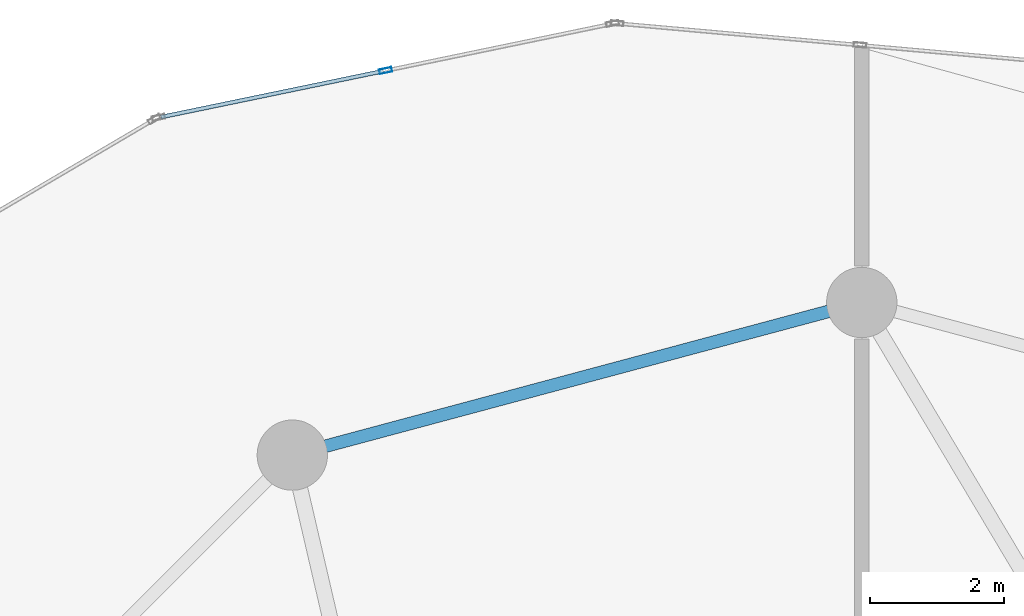
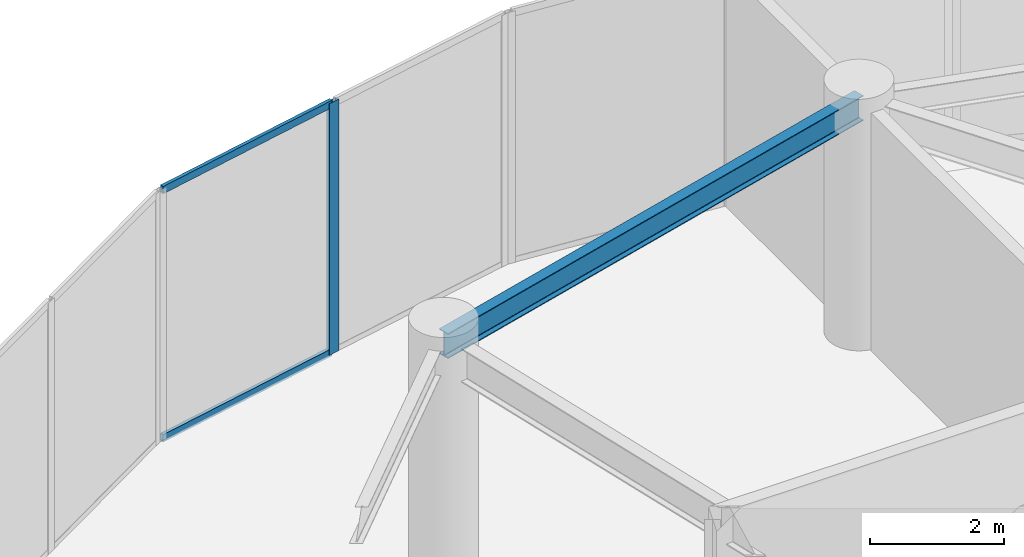
# One storey, part 19 of 28: 3 members, 1 beam, 1 element without a shape of its own.
"""IFC4 building model written with IfcOpenShell, lengths in metres."""

from ifc_helpers import new_model, si_unit, direction, frame, origin, origin_2d, place, context, subcontext, project, spatial, hollow_rectangle, i_section, extrude, source, transform, mapped, material, layer, layer_set, material_profile, profile_set, type_object, element, aggregate, save


model = new_model("IFC4")

# Units and contexts
model_context = context("Model", 3, precision=1e-05, world=origin(), true_north=direction((0.0, 1.0)))
body_context = subcontext(model_context, "Body", "Model", "MODEL_VIEW")
ifc_project = project(units=[si_unit("LENGTHUNIT", "METRE"), si_unit("AREAUNIT", "SQUARE_METRE"), si_unit("VOLUMEUNIT", "CUBIC_METRE"), si_unit("PLANEANGLEUNIT", "RADIAN"), si_unit("MASSUNIT", "GRAM", prefix="KILO")], contexts=[model_context])

# Site, building, storey
site_placement = place(None, origin())
site = spatial("IfcSite", under=ifc_project, at=site_placement, CompositionType="ELEMENT")
building_placement = place(site_placement, origin())
building = spatial("IfcBuilding", under=site, at=building_placement, Name="Solvirekh Grand Hotel", CompositionType="ELEMENT")
storey_placement = place(building_placement, frame((0.0, 0.0, 98.0)))
storey = spatial("IfcBuildingStorey", under=building, at=storey_placement, Name="L24", CompositionType="ELEMENT", Elevation=98.0)

# Beam
ifc_material_1 = material(Name="Steel S355", Category="steel")
ifc_material_profile_1 = material_profile(ifc_material_1, i_section(OverallWidth=0.18994140625, OverallDepth=0.45703125, WebThickness=0.009033203125, FlangeThickness=0.013916015625, FilletRadius=0.012939453125, at=origin_2d()), Name="W460X74")
ifc_profile_set_1 = profile_set([ifc_material_profile_1], Name="Steel S355")
beam_type = type_object("IfcBeamType", Name="Spandrel_Ring_W460", PredefinedType="SPANDREL", material=ifc_profile_set_1)
beam_placement = place(storey_placement, frame((0.0, 17.0, 4.12109375), z_axis=(-0.965911391906, -0.258872908946, 0.0), x_axis=(0.258872908946, -0.965911391906, 0.0)))
element("IfcBeam", 1, at=beam_placement, inside=storey, type_object=beam_type, Name="L24 perimeter spandrel beam 4", PredefinedType="SPANDREL", context=body_context, shape_type="SweptSolid", body=[
    extrude(i_section(OverallWidth=0.18994140625, OverallDepth=0.45703125, WebThickness=0.009033203125, FlangeThickness=0.013916015625, FilletRadius=0.012939453125, at=origin_2d()), origin(), (0.0, 0.0, 1.0), 8.800048828125),
])

# Curtain wall, members
ifc_material_2 = material(Name="Anodized Bronze Aluminium 6063-T6", Category="aluminium")
ifc_layer = layer(ifc_material_2, 0.18994140625)
ifc_layer_set = layer_set([ifc_layer], Name="Anodized Bronze Aluminium 6063-T6")
curtain_wall_type = type_object("IfcCurtainWallType", Name="CW_Sys5_SkyLobbyPanoramaCW", PredefinedType="NOTDEFINED", material=ifc_layer_set)
curtain_wall_placement = place(storey_placement, origin())
curtain_wall = element("IfcCurtainWall", 2, at=curtain_wall_placement, inside=storey, type_object=curtain_wall_type, Name="L24 unitised bronze-glass curtain wall CW-L24-C08", PredefinedType="NOTDEFINED")
ifc_material_profile_2 = material_profile(ifc_material_2, hollow_rectangle(XDim=0.070068359375, YDim=0.18994140625, WallThickness=0.0048828125, at=origin_2d()), Name="ALU RHS 190X70X5")
ifc_profile_set_2 = profile_set([ifc_material_profile_2], Name="Anodized Bronze Aluminium 6063-T6")
member_type_1 = type_object("IfcMemberType", Name="CWMullion_Sys5", PredefinedType="MULLION", material=ifc_profile_set_2)
shared_shape_1 = source(origin(), body_context, "Body", "SweptSolid", [
    extrude(hollow_rectangle(XDim=0.070068359375, YDim=0.18994140625, WallThickness=0.0048828125, at=origin_2d()), origin(), (0.0, 0.0, 1.0), 4.60009765625),
])
member_1_placement = place(storey_placement, frame((-7.10693359375, 20.46142578125, 0.0), z_axis=(0.0, 0.0, 1.0), x_axis=(0.202742807709, -0.979232022517, 0.0)))
member_1 = element("IfcMember", 3, at=member_1_placement, type_object=member_type_1, Name="U05 mullion 2", PredefinedType="MULLION", context=body_context, shape_type="MappedRepresentation", body=[
    mapped(shared_shape_1, transform((0.0, 0.0, 0.0), x_axis=(1.0, 0.0, 0.0), y_axis=(0.0, 1.0, 0.0), z_axis=(0.0, 0.0, 1.0), scale=1.0)),
])
ifc_material_profile_3 = material_profile(ifc_material_2, hollow_rectangle(XDim=0.06005859375, YDim=0.135009765625, WallThickness=0.00390625, at=origin_2d()), Name="ALU RHS 135X60X4")
ifc_profile_set_3 = profile_set([ifc_material_profile_3], Name="Anodized Bronze Aluminium 6063-T6")
member_type_2 = type_object("IfcMemberType", Name="CWTransom_Sys5", PredefinedType="USERDEFINED", material=ifc_profile_set_3)
shared_shape_2 = source(origin(), body_context, "Body", "SweptSolid", [
    extrude(hollow_rectangle(XDim=0.06005859375, YDim=0.135009765625, WallThickness=0.00390625, at=origin_2d()), origin(), (0.0, 0.0, 1.0), 3.389404296875),
])
member_2_placement = place(storey_placement, frame((-7.141357421875, 20.454345703125, 0.030029296875), z_axis=(-0.979228376321, -0.202760417752, 0.0), x_axis=(0.202760417752, -0.979228376321, 0.0)))
member_2 = element("IfcMember", 4, at=member_2_placement, type_object=member_type_2, Name="U05 transom 2.1", ObjectType="TRANSOM", PredefinedType="USERDEFINED", context=body_context, shape_type="MappedRepresentation", body=[
    mapped(shared_shape_2, transform((0.0, 0.0, 0.0), x_axis=(1.0, 0.0, 0.0), y_axis=(0.0, 1.0, 0.0), z_axis=(0.0, 0.0, 1.0), scale=1.0)),
])
member_3_placement = place(storey_placement, frame((-7.141357421875, 20.454345703125, 4.570068359375), z_axis=(-0.979228376321, -0.202760417752, 0.0), x_axis=(0.202760417752, -0.979228376321, 0.0)))
member_3 = element("IfcMember", 5, at=member_3_placement, type_object=member_type_2, Name="U05 transom 2.2", ObjectType="TRANSOM", PredefinedType="USERDEFINED", context=body_context, shape_type="MappedRepresentation", body=[
    mapped(shared_shape_2, transform((0.0, 0.0, 0.0), x_axis=(1.0, 0.0, 0.0), y_axis=(0.0, 1.0, 0.0), z_axis=(0.0, 0.0, 1.0), scale=1.0)),
])
aggregate(curtain_wall, [member_1, member_2, member_3])

save(model, "model.ifc")
